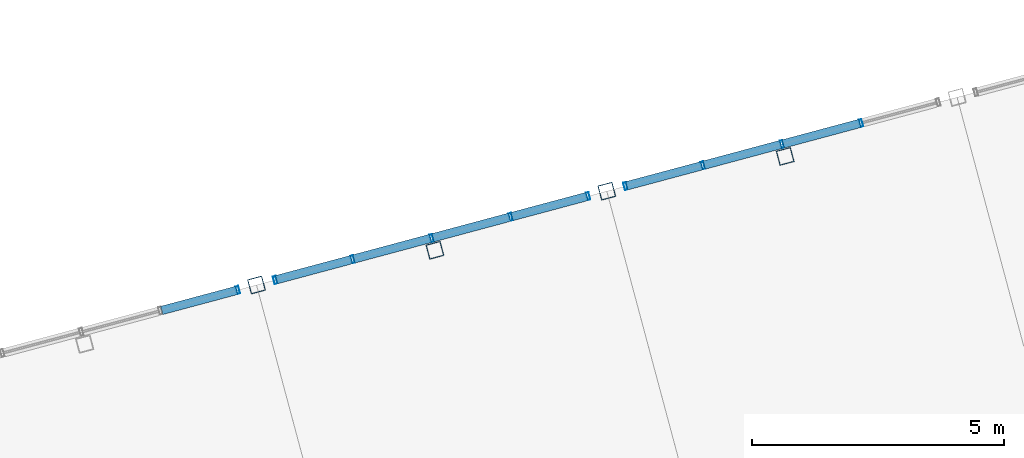
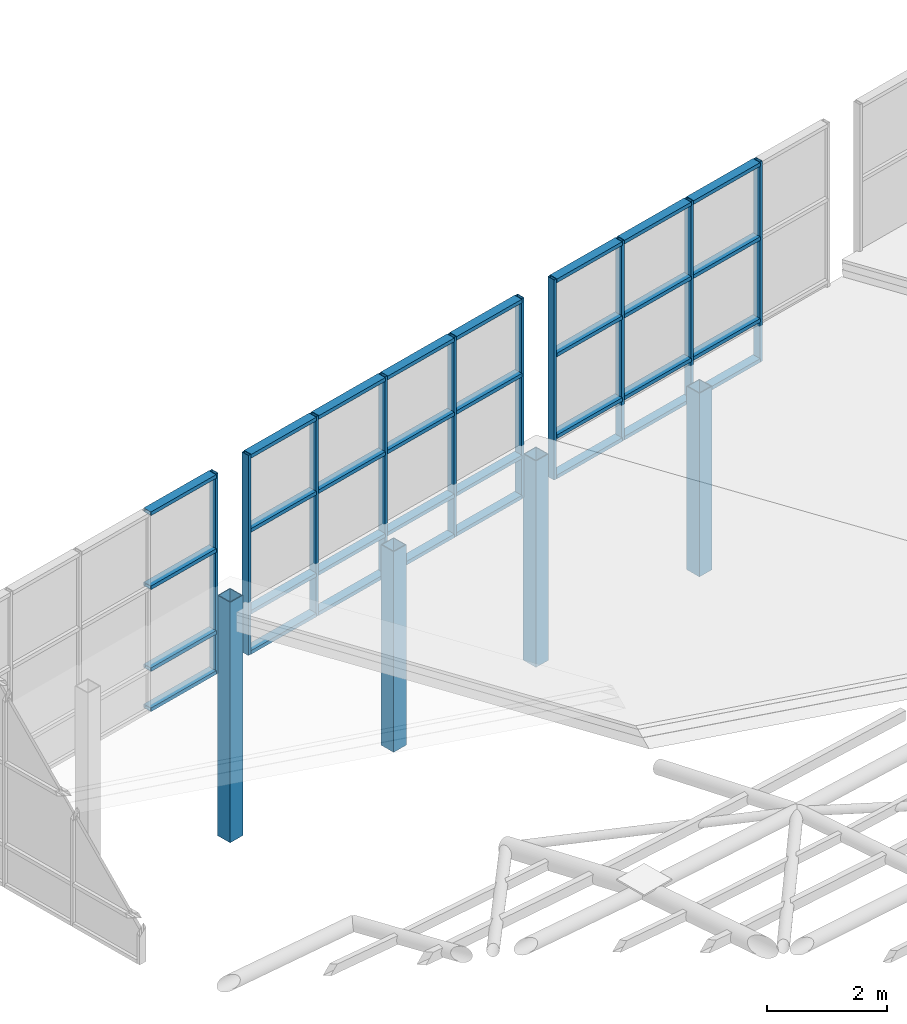
# One storey, part 10 of 28: 46 members, 3 elements without a shape of their own.
"""IFC4 building model written with IfcOpenShell, lengths in metres."""

from ifc_helpers import new_model, si_unit, direction, frame, origin, origin_2d, place, context, subcontext, project, spatial, hollow_rectangle, extrude, material, layer, layer_set, material_profile, profile_set, type_object, element, aggregate, save


model = new_model("IFC4")

# Units and contexts
model_context = context("Model", 3, precision=1e-05, world=origin(), true_north=direction((0.0, 1.0)))
body_context = subcontext(model_context, "Body", "Model", "MODEL_VIEW")
ifc_project = project(units=[si_unit("LENGTHUNIT", "METRE"), si_unit("AREAUNIT", "SQUARE_METRE"), si_unit("VOLUMEUNIT", "CUBIC_METRE"), si_unit("PLANEANGLEUNIT", "RADIAN"), si_unit("MASSUNIT", "GRAM", prefix="KILO")], contexts=[model_context])

# Site, building, storey
site_placement = place(None, origin())
site = spatial("IfcSite", under=ifc_project, at=site_placement, CompositionType="ELEMENT")
building_placement = place(site_placement, origin())
building = spatial("IfcBuilding", under=site, at=building_placement, Name="Ventoquebrada Cableway Terminal", CompositionType="ELEMENT")
storey_placement = place(building_placement, frame((0.0, 0.0, 23.39990234375)))
storey = spatial("IfcBuildingStorey", under=building, at=storey_placement, Name="RF", CompositionType="ELEMENT", Elevation=23.39990234375)

# Curtain wall, member
ifc_material_1 = material(Name="Anodized thermally-broken aluminium", Category="aluminium")
ifc_layer = layer(ifc_material_1, 0.159912109375)
ifc_layer_set = layer_set([ifc_layer], Name="Anodized thermally-broken aluminium")
curtain_wall_type = type_object("IfcCurtainWallType", Name="CW-T48", PredefinedType="USERDEFINED", material=ifc_layer_set)
curtain_wall_1_placement = place(storey_placement, origin())
curtain_wall_1 = element("IfcCurtainWall", 1, at=curtain_wall_1_placement, inside=storey, type_object=curtain_wall_type, Name="Unitised glazed curtain wall CW-156", ObjectType="UNITISED CURTAIN WALL", PredefinedType="USERDEFINED")
ifc_material_profile_1 = material_profile(ifc_material_1, hollow_rectangle(XDim=0.06005859375, YDim=0.14990234375, WallThickness=0.00390625, at=origin_2d()), Name="CW-MUL-60X150")
ifc_profile_set_1 = profile_set([ifc_material_profile_1], Name="Anodized thermally-broken aluminium")
member_type_1 = type_object("IfcMemberType", Name="CWM-03", PredefinedType="MULLION", material=ifc_profile_set_1)
member_1_placement = place(storey_placement, frame((51.8310546875, 96.662109375, -0.06298828125), z_axis=(0.0, 0.0, 1.0), x_axis=(-0.96593486019, -0.258785327773, 0.0)))
member_1 = element("IfcMember", 2, at=member_1_placement, type_object=member_type_1, Name="Curtain wall mullion FML-0757", PredefinedType="MULLION", context=body_context, shape_type="SweptSolid", body=[
    extrude(hollow_rectangle(XDim=0.06005859375, YDim=0.14990234375, WallThickness=0.00390625, at=origin_2d()), origin(), (0.0, 0.0, 1.0), 4.068115234375),
])

# Curtain wall, members
curtain_wall_2_placement = place(storey_placement, origin())
curtain_wall_2 = element("IfcCurtainWall", 3, at=curtain_wall_2_placement, inside=storey, type_object=curtain_wall_type, Name="Unitised glazed curtain wall CW-157", ObjectType="UNITISED CURTAIN WALL", PredefinedType="USERDEFINED")
member_2_placement = place(storey_placement, frame((58.785888671875, 98.52587890625, -0.06298828125), z_axis=(0.0, 0.0, 1.0), x_axis=(-0.965903236389, -0.258903337047, 0.0)))
member_2 = element("IfcMember", 4, at=member_2_placement, type_object=member_type_1, Name="Curtain wall mullion FML-0762", PredefinedType="MULLION", context=body_context, shape_type="SweptSolid", body=[
    extrude(hollow_rectangle(XDim=0.06005859375, YDim=0.14990234375, WallThickness=0.00390625, at=origin_2d()), origin(), (0.0, 0.0, 1.0), 4.068115234375),
])
member_3_placement = place(storey_placement, frame((57.25, 98.114013671875, -0.06298828125), z_axis=(0.0, 0.0, 1.0), x_axis=(-0.965903236389, -0.258903337047, 0.0)))
member_3 = element("IfcMember", 5, at=member_3_placement, type_object=member_type_1, Name="Curtain wall mullion FML-0763", PredefinedType="MULLION", context=body_context, shape_type="SweptSolid", body=[
    extrude(hollow_rectangle(XDim=0.06005859375, YDim=0.14990234375, WallThickness=0.00390625, at=origin_2d()), origin(), (0.0, 0.0, 1.0), 4.068115234375),
])
member_4_placement = place(storey_placement, frame((55.679931640625, 97.694091796875, -0.06298828125), z_axis=(0.0, 0.0, 1.0), x_axis=(-0.965903236389, -0.258903337047, 0.0)))
member_4 = element("IfcMember", 6, at=member_4_placement, type_object=member_type_1, Name="Curtain wall mullion FML-0764", PredefinedType="MULLION", context=body_context, shape_type="SweptSolid", body=[
    extrude(hollow_rectangle(XDim=0.06005859375, YDim=0.14990234375, WallThickness=0.00390625, at=origin_2d()), origin(), (0.0, 0.0, 1.0), 4.068115234375),
])
member_5_placement = place(storey_placement, frame((54.111083984375, 97.27294921875, -0.06298828125), z_axis=(0.0, 0.0, 1.0), x_axis=(-0.965903236389, -0.258903337047, 0.0)))
member_5 = element("IfcMember", 7, at=member_5_placement, type_object=member_type_1, Name="Curtain wall mullion FML-0765", PredefinedType="MULLION", context=body_context, shape_type="SweptSolid", body=[
    extrude(hollow_rectangle(XDim=0.06005859375, YDim=0.14990234375, WallThickness=0.00390625, at=origin_2d()), origin(), (0.0, 0.0, 1.0), 4.068115234375),
])
member_6_placement = place(storey_placement, frame((52.574951171875, 96.861083984375, -0.06298828125), z_axis=(0.0, 0.0, 1.0), x_axis=(-0.965903236389, -0.258903337047, 0.0)))
member_6 = element("IfcMember", 8, at=member_6_placement, type_object=member_type_1, Name="Curtain wall mullion FML-0766", PredefinedType="MULLION", context=body_context, shape_type="SweptSolid", body=[
    extrude(hollow_rectangle(XDim=0.06005859375, YDim=0.14990234375, WallThickness=0.00390625, at=origin_2d()), origin(), (0.0, 0.0, 1.0), 4.068115234375),
])

curtain_wall_3_placement = place(storey_placement, origin())
curtain_wall_3 = element("IfcCurtainWall", 9, at=curtain_wall_3_placement, inside=storey, type_object=curtain_wall_type, Name="Unitised glazed curtain wall CW-158", ObjectType="UNITISED CURTAIN WALL", PredefinedType="USERDEFINED")
member_7_placement = place(storey_placement, frame((64.205078125, 99.97705078125, -0.06298828125), z_axis=(0.0, 0.0, 1.0), x_axis=(-0.965943892913, -0.258751610128, 0.0)))
member_7 = element("IfcMember", 10, at=member_7_placement, type_object=member_type_1, Name="Curtain wall mullion FML-0768", PredefinedType="MULLION", context=body_context, shape_type="SweptSolid", body=[
    extrude(hollow_rectangle(XDim=0.06005859375, YDim=0.14990234375, WallThickness=0.00390625, at=origin_2d()), origin(), (0.0, 0.0, 1.0), 4.068115234375),
])
member_8_placement = place(storey_placement, frame((62.635986328125, 99.556884765625, -0.06298828125), z_axis=(0.0, 0.0, 1.0), x_axis=(-0.965943892913, -0.258751610128, 0.0)))
member_8 = element("IfcMember", 11, at=member_8_placement, type_object=member_type_1, Name="Curtain wall mullion FML-0769", PredefinedType="MULLION", context=body_context, shape_type="SweptSolid", body=[
    extrude(hollow_rectangle(XDim=0.06005859375, YDim=0.14990234375, WallThickness=0.00390625, at=origin_2d()), origin(), (0.0, 0.0, 1.0), 4.068115234375),
])
member_9_placement = place(storey_placement, frame((61.06591796875, 99.135986328125, -0.06298828125), z_axis=(0.0, 0.0, 1.0), x_axis=(-0.965943892913, -0.258751610128, 0.0)))
member_9 = element("IfcMember", 12, at=member_9_placement, type_object=member_type_1, Name="Curtain wall mullion FML-0770", PredefinedType="MULLION", context=body_context, shape_type="SweptSolid", body=[
    extrude(hollow_rectangle(XDim=0.06005859375, YDim=0.14990234375, WallThickness=0.00390625, at=origin_2d()), origin(), (0.0, 0.0, 1.0), 4.068115234375),
])
member_10_placement = place(storey_placement, frame((59.530029296875, 98.72509765625, -0.06298828125), z_axis=(0.0, 0.0, 1.0), x_axis=(-0.965943892913, -0.258751610128, 0.0)))
member_10 = element("IfcMember", 13, at=member_10_placement, type_object=member_type_1, Name="Curtain wall mullion FML-0771", PredefinedType="MULLION", context=body_context, shape_type="SweptSolid", body=[
    extrude(hollow_rectangle(XDim=0.06005859375, YDim=0.14990234375, WallThickness=0.00390625, at=origin_2d()), origin(), (0.0, 0.0, 1.0), 4.068115234375),
])

# Member
ifc_material_profile_2 = material_profile(ifc_material_1, hollow_rectangle(XDim=0.074951171875, YDim=0.169921875, WallThickness=0.00439453125, at=origin_2d()), Name="CW-TRN-75X170")
ifc_profile_set_2 = profile_set([ifc_material_profile_2], Name="Anodized thermally-broken aluminium")
member_type_2 = type_object("IfcMemberType", Name="CWT-03", PredefinedType="USERDEFINED", material=ifc_profile_set_2)
member_11_placement = place(storey_placement, frame((51.806884765625, 96.655029296875, -0.02001953125), z_axis=(-0.965997587881, -0.25855107853, 0.0), x_axis=(0.0, 0.0, 1.0)))
member_11 = element("IfcMember", 14, at=member_11_placement, type_object=member_type_2, Name="Curtain wall transom FTR-2204", ObjectType="TRANSOM", PredefinedType="USERDEFINED", context=body_context, shape_type="SweptSolid", body=[
    extrude(hollow_rectangle(XDim=0.074951171875, YDim=0.169921875, WallThickness=0.00439453125, at=origin_2d()), origin(), (0.0, 0.0, 1.0), 1.5390625),
])

member_12_placement = place(storey_placement, frame((51.806884765625, 96.655029296875, 0.795166015625), z_axis=(-0.965997587881, -0.25855107853, 0.0), x_axis=(0.0, 0.0, 1.0)))
member_12 = element("IfcMember", 15, at=member_12_placement, type_object=member_type_2, Name="Curtain wall transom FTR-2205", ObjectType="TRANSOM", PredefinedType="USERDEFINED", context=body_context, shape_type="SweptSolid", body=[
    extrude(hollow_rectangle(XDim=0.074951171875, YDim=0.169921875, WallThickness=0.00439453125, at=origin_2d()), origin(), (0.0, 0.0, 1.0), 1.5390625),
])

member_13_placement = place(storey_placement, frame((51.806884765625, 96.655029296875, 2.458984375), z_axis=(-0.965997587881, -0.25855107853, 0.0), x_axis=(0.0, 0.0, 1.0)))
member_13 = element("IfcMember", 16, at=member_13_placement, type_object=member_type_2, Name="Curtain wall transom FTR-2206", ObjectType="TRANSOM", PredefinedType="USERDEFINED", context=body_context, shape_type="SweptSolid", body=[
    extrude(hollow_rectangle(XDim=0.074951171875, YDim=0.169921875, WallThickness=0.00439453125, at=origin_2d()), origin(), (0.0, 0.0, 1.0), 1.5390625),
])

member_14_placement = place(storey_placement, frame((51.806884765625, 96.655029296875, 3.965087890625), z_axis=(-0.965997587881, -0.25855107853, 0.0), x_axis=(0.0, 0.0, 1.0)))
member_14 = element("IfcMember", 17, at=member_14_placement, type_object=member_type_2, Name="Curtain wall transom FTR-2207", ObjectType="TRANSOM", PredefinedType="USERDEFINED", context=body_context, shape_type="SweptSolid", body=[
    extrude(hollow_rectangle(XDim=0.074951171875, YDim=0.169921875, WallThickness=0.00439453125, at=origin_2d()), origin(), (0.0, 0.0, 1.0), 1.5390625),
])

aggregate(curtain_wall_1, [member_1, member_11, member_12, member_13, member_14])

member_15_placement = place(storey_placement, frame((58.761962890625, 98.51904296875, -0.02001953125), z_axis=(-0.966050544784, -0.25835313995, 0.0), x_axis=(0.0, 0.0, 1.0)))
member_15 = element("IfcMember", 18, at=member_15_placement, type_object=member_type_2, Name="Curtain wall transom FTR-2220", ObjectType="TRANSOM", PredefinedType="USERDEFINED", context=body_context, shape_type="SweptSolid", body=[
    extrude(hollow_rectangle(XDim=0.074951171875, YDim=0.169921875, WallThickness=0.00439453125, at=origin_2d()), origin(), (0.0, 0.0, 1.0), 1.540283203125),
])

member_16_placement = place(storey_placement, frame((58.761962890625, 98.51904296875, 0.795166015625), z_axis=(-0.966050544784, -0.25835313995, 0.0), x_axis=(0.0, 0.0, 1.0)))
member_16 = element("IfcMember", 19, at=member_16_placement, type_object=member_type_2, Name="Curtain wall transom FTR-2221", ObjectType="TRANSOM", PredefinedType="USERDEFINED", context=body_context, shape_type="SweptSolid", body=[
    extrude(hollow_rectangle(XDim=0.074951171875, YDim=0.169921875, WallThickness=0.00439453125, at=origin_2d()), origin(), (0.0, 0.0, 1.0), 1.540283203125),
])

member_17_placement = place(storey_placement, frame((58.761962890625, 98.51904296875, 2.458984375), z_axis=(-0.966050544784, -0.25835313995, 0.0), x_axis=(0.0, 0.0, 1.0)))
member_17 = element("IfcMember", 20, at=member_17_placement, type_object=member_type_2, Name="Curtain wall transom FTR-2222", ObjectType="TRANSOM", PredefinedType="USERDEFINED", context=body_context, shape_type="SweptSolid", body=[
    extrude(hollow_rectangle(XDim=0.074951171875, YDim=0.169921875, WallThickness=0.00439453125, at=origin_2d()), origin(), (0.0, 0.0, 1.0), 1.540283203125),
])

member_18_placement = place(storey_placement, frame((58.761962890625, 98.51904296875, 3.965087890625), z_axis=(-0.966050544784, -0.25835313995, 0.0), x_axis=(0.0, 0.0, 1.0)))
member_18 = element("IfcMember", 21, at=member_18_placement, type_object=member_type_2, Name="Curtain wall transom FTR-2223", ObjectType="TRANSOM", PredefinedType="USERDEFINED", context=body_context, shape_type="SweptSolid", body=[
    extrude(hollow_rectangle(XDim=0.074951171875, YDim=0.169921875, WallThickness=0.00439453125, at=origin_2d()), origin(), (0.0, 0.0, 1.0), 1.540283203125),
])

member_19_placement = place(storey_placement, frame((57.22607421875, 98.10791015625, -0.02001953125), z_axis=(-0.965860816082, -0.259061544731, 0.0), x_axis=(0.0, 0.0, 1.0)))
member_19 = element("IfcMember", 22, at=member_19_placement, type_object=member_type_2, Name="Curtain wall transom FTR-2224", ObjectType="TRANSOM", PredefinedType="USERDEFINED", context=body_context, shape_type="SweptSolid", body=[
    extrude(hollow_rectangle(XDim=0.074951171875, YDim=0.169921875, WallThickness=0.00439453125, at=origin_2d()), origin(), (0.0, 0.0, 1.0), 1.57470703125),
])

member_20_placement = place(storey_placement, frame((57.22607421875, 98.10791015625, 0.795166015625), z_axis=(-0.965860816082, -0.259061544731, 0.0), x_axis=(0.0, 0.0, 1.0)))
member_20 = element("IfcMember", 23, at=member_20_placement, type_object=member_type_2, Name="Curtain wall transom FTR-2225", ObjectType="TRANSOM", PredefinedType="USERDEFINED", context=body_context, shape_type="SweptSolid", body=[
    extrude(hollow_rectangle(XDim=0.074951171875, YDim=0.169921875, WallThickness=0.00439453125, at=origin_2d()), origin(), (0.0, 0.0, 1.0), 1.57470703125),
])

member_21_placement = place(storey_placement, frame((57.22607421875, 98.10791015625, 2.458984375), z_axis=(-0.965860816082, -0.259061544731, 0.0), x_axis=(0.0, 0.0, 1.0)))
member_21 = element("IfcMember", 24, at=member_21_placement, type_object=member_type_2, Name="Curtain wall transom FTR-2226", ObjectType="TRANSOM", PredefinedType="USERDEFINED", context=body_context, shape_type="SweptSolid", body=[
    extrude(hollow_rectangle(XDim=0.074951171875, YDim=0.169921875, WallThickness=0.00439453125, at=origin_2d()), origin(), (0.0, 0.0, 1.0), 1.57470703125),
])

member_22_placement = place(storey_placement, frame((57.22607421875, 98.10791015625, 3.965087890625), z_axis=(-0.965860816082, -0.259061544731, 0.0), x_axis=(0.0, 0.0, 1.0)))
member_22 = element("IfcMember", 25, at=member_22_placement, type_object=member_type_2, Name="Curtain wall transom FTR-2227", ObjectType="TRANSOM", PredefinedType="USERDEFINED", context=body_context, shape_type="SweptSolid", body=[
    extrude(hollow_rectangle(XDim=0.074951171875, YDim=0.169921875, WallThickness=0.00439453125, at=origin_2d()), origin(), (0.0, 0.0, 1.0), 1.57470703125),
])

member_23_placement = place(storey_placement, frame((55.656005859375, 97.68701171875, -0.02001953125), z_axis=(-0.965860816082, -0.259061544731, 0.0), x_axis=(0.0, 0.0, 1.0)))
member_23 = element("IfcMember", 26, at=member_23_placement, type_object=member_type_2, Name="Curtain wall transom FTR-2228", ObjectType="TRANSOM", PredefinedType="USERDEFINED", context=body_context, shape_type="SweptSolid", body=[
    extrude(hollow_rectangle(XDim=0.074951171875, YDim=0.169921875, WallThickness=0.00439453125, at=origin_2d()), origin(), (0.0, 0.0, 1.0), 1.57470703125),
])

member_24_placement = place(storey_placement, frame((55.656005859375, 97.68701171875, 0.795166015625), z_axis=(-0.965860816082, -0.259061544731, 0.0), x_axis=(0.0, 0.0, 1.0)))
member_24 = element("IfcMember", 27, at=member_24_placement, type_object=member_type_2, Name="Curtain wall transom FTR-2229", ObjectType="TRANSOM", PredefinedType="USERDEFINED", context=body_context, shape_type="SweptSolid", body=[
    extrude(hollow_rectangle(XDim=0.074951171875, YDim=0.169921875, WallThickness=0.00439453125, at=origin_2d()), origin(), (0.0, 0.0, 1.0), 1.57470703125),
])

member_25_placement = place(storey_placement, frame((55.656005859375, 97.68701171875, 2.458984375), z_axis=(-0.965860816082, -0.259061544731, 0.0), x_axis=(0.0, 0.0, 1.0)))
member_25 = element("IfcMember", 28, at=member_25_placement, type_object=member_type_2, Name="Curtain wall transom FTR-2230", ObjectType="TRANSOM", PredefinedType="USERDEFINED", context=body_context, shape_type="SweptSolid", body=[
    extrude(hollow_rectangle(XDim=0.074951171875, YDim=0.169921875, WallThickness=0.00439453125, at=origin_2d()), origin(), (0.0, 0.0, 1.0), 1.57470703125),
])

member_26_placement = place(storey_placement, frame((55.656005859375, 97.68701171875, 3.965087890625), z_axis=(-0.965860816082, -0.259061544731, 0.0), x_axis=(0.0, 0.0, 1.0)))
member_26 = element("IfcMember", 29, at=member_26_placement, type_object=member_type_2, Name="Curtain wall transom FTR-2231", ObjectType="TRANSOM", PredefinedType="USERDEFINED", context=body_context, shape_type="SweptSolid", body=[
    extrude(hollow_rectangle(XDim=0.074951171875, YDim=0.169921875, WallThickness=0.00439453125, at=origin_2d()), origin(), (0.0, 0.0, 1.0), 1.57470703125),
])

member_27_placement = place(storey_placement, frame((54.0869140625, 97.26611328125, -0.02001953125), z_axis=(-0.966000383253, -0.258540634244, 0.0), x_axis=(0.0, 0.0, 1.0)))
member_27 = element("IfcMember", 30, at=member_27_placement, type_object=member_type_2, Name="Curtain wall transom FTR-2232", ObjectType="TRANSOM", PredefinedType="USERDEFINED", context=body_context, shape_type="SweptSolid", body=[
    extrude(hollow_rectangle(XDim=0.074951171875, YDim=0.169921875, WallThickness=0.00439453125, at=origin_2d()), origin(), (0.0, 0.0, 1.0), 1.5400390625),
])

member_28_placement = place(storey_placement, frame((54.0869140625, 97.26611328125, 0.795166015625), z_axis=(-0.966000383253, -0.258540634244, 0.0), x_axis=(0.0, 0.0, 1.0)))
member_28 = element("IfcMember", 31, at=member_28_placement, type_object=member_type_2, Name="Curtain wall transom FTR-2233", ObjectType="TRANSOM", PredefinedType="USERDEFINED", context=body_context, shape_type="SweptSolid", body=[
    extrude(hollow_rectangle(XDim=0.074951171875, YDim=0.169921875, WallThickness=0.00439453125, at=origin_2d()), origin(), (0.0, 0.0, 1.0), 1.5400390625),
])

member_29_placement = place(storey_placement, frame((54.0869140625, 97.26611328125, 2.458984375), z_axis=(-0.966000383253, -0.258540634244, 0.0), x_axis=(0.0, 0.0, 1.0)))
member_29 = element("IfcMember", 32, at=member_29_placement, type_object=member_type_2, Name="Curtain wall transom FTR-2234", ObjectType="TRANSOM", PredefinedType="USERDEFINED", context=body_context, shape_type="SweptSolid", body=[
    extrude(hollow_rectangle(XDim=0.074951171875, YDim=0.169921875, WallThickness=0.00439453125, at=origin_2d()), origin(), (0.0, 0.0, 1.0), 1.5400390625),
])

member_30_placement = place(storey_placement, frame((54.0869140625, 97.26611328125, 3.965087890625), z_axis=(-0.966000383253, -0.258540634244, 0.0), x_axis=(0.0, 0.0, 1.0)))
member_30 = element("IfcMember", 33, at=member_30_placement, type_object=member_type_2, Name="Curtain wall transom FTR-2235", ObjectType="TRANSOM", PredefinedType="USERDEFINED", context=body_context, shape_type="SweptSolid", body=[
    extrude(hollow_rectangle(XDim=0.074951171875, YDim=0.169921875, WallThickness=0.00439453125, at=origin_2d()), origin(), (0.0, 0.0, 1.0), 1.5400390625),
])

aggregate(curtain_wall_2, [member_2, member_3, member_4, member_5, member_6, member_15, member_16, member_17, member_18, member_19, member_20, member_21, member_22, member_23, member_24, member_25, member_26, member_27, member_28, member_29, member_30])

member_31_placement = place(storey_placement, frame((64.180908203125, 99.970947265625, -0.02001953125), z_axis=(-0.965860816082, -0.259061544731, 0.0), x_axis=(0.0, 0.0, 1.0)))
member_31 = element("IfcMember", 34, at=member_31_placement, type_object=member_type_2, Name="Curtain wall transom FTR-2240", ObjectType="TRANSOM", PredefinedType="USERDEFINED", context=body_context, shape_type="SweptSolid", body=[
    extrude(hollow_rectangle(XDim=0.074951171875, YDim=0.169921875, WallThickness=0.00439453125, at=origin_2d()), origin(), (0.0, 0.0, 1.0), 1.57470703125),
])

member_32_placement = place(storey_placement, frame((64.180908203125, 99.970947265625, 0.795166015625), z_axis=(-0.965860816082, -0.259061544731, 0.0), x_axis=(0.0, 0.0, 1.0)))
member_32 = element("IfcMember", 35, at=member_32_placement, type_object=member_type_2, Name="Curtain wall transom FTR-2241", ObjectType="TRANSOM", PredefinedType="USERDEFINED", context=body_context, shape_type="SweptSolid", body=[
    extrude(hollow_rectangle(XDim=0.074951171875, YDim=0.169921875, WallThickness=0.00439453125, at=origin_2d()), origin(), (0.0, 0.0, 1.0), 1.57470703125),
])

member_33_placement = place(storey_placement, frame((64.180908203125, 99.970947265625, 2.458984375), z_axis=(-0.965860816082, -0.259061544731, 0.0), x_axis=(0.0, 0.0, 1.0)))
member_33 = element("IfcMember", 36, at=member_33_placement, type_object=member_type_2, Name="Curtain wall transom FTR-2242", ObjectType="TRANSOM", PredefinedType="USERDEFINED", context=body_context, shape_type="SweptSolid", body=[
    extrude(hollow_rectangle(XDim=0.074951171875, YDim=0.169921875, WallThickness=0.00439453125, at=origin_2d()), origin(), (0.0, 0.0, 1.0), 1.57470703125),
])

member_34_placement = place(storey_placement, frame((64.180908203125, 99.970947265625, 3.965087890625), z_axis=(-0.965860816082, -0.259061544731, 0.0), x_axis=(0.0, 0.0, 1.0)))
member_34 = element("IfcMember", 37, at=member_34_placement, type_object=member_type_2, Name="Curtain wall transom FTR-2243", ObjectType="TRANSOM", PredefinedType="USERDEFINED", context=body_context, shape_type="SweptSolid", body=[
    extrude(hollow_rectangle(XDim=0.074951171875, YDim=0.169921875, WallThickness=0.00439453125, at=origin_2d()), origin(), (0.0, 0.0, 1.0), 1.57470703125),
])

member_35_placement = place(storey_placement, frame((62.611083984375, 99.551025390625, -0.02001953125), z_axis=(-0.965860816082, -0.259061544731, 0.0), x_axis=(0.0, 0.0, 1.0)))
member_35 = element("IfcMember", 38, at=member_35_placement, type_object=member_type_2, Name="Curtain wall transom FTR-2244", ObjectType="TRANSOM", PredefinedType="USERDEFINED", context=body_context, shape_type="SweptSolid", body=[
    extrude(hollow_rectangle(XDim=0.074951171875, YDim=0.169921875, WallThickness=0.00439453125, at=origin_2d()), origin(), (0.0, 0.0, 1.0), 1.57470703125),
])

member_36_placement = place(storey_placement, frame((62.611083984375, 99.551025390625, 0.795166015625), z_axis=(-0.965860816082, -0.259061544731, 0.0), x_axis=(0.0, 0.0, 1.0)))
member_36 = element("IfcMember", 39, at=member_36_placement, type_object=member_type_2, Name="Curtain wall transom FTR-2245", ObjectType="TRANSOM", PredefinedType="USERDEFINED", context=body_context, shape_type="SweptSolid", body=[
    extrude(hollow_rectangle(XDim=0.074951171875, YDim=0.169921875, WallThickness=0.00439453125, at=origin_2d()), origin(), (0.0, 0.0, 1.0), 1.57470703125),
])

member_37_placement = place(storey_placement, frame((62.611083984375, 99.551025390625, 2.458984375), z_axis=(-0.965860816082, -0.259061544731, 0.0), x_axis=(0.0, 0.0, 1.0)))
member_37 = element("IfcMember", 40, at=member_37_placement, type_object=member_type_2, Name="Curtain wall transom FTR-2246", ObjectType="TRANSOM", PredefinedType="USERDEFINED", context=body_context, shape_type="SweptSolid", body=[
    extrude(hollow_rectangle(XDim=0.074951171875, YDim=0.169921875, WallThickness=0.00439453125, at=origin_2d()), origin(), (0.0, 0.0, 1.0), 1.57470703125),
])

member_38_placement = place(storey_placement, frame((62.611083984375, 99.551025390625, 3.965087890625), z_axis=(-0.965860816082, -0.259061544731, 0.0), x_axis=(0.0, 0.0, 1.0)))
member_38 = element("IfcMember", 41, at=member_38_placement, type_object=member_type_2, Name="Curtain wall transom FTR-2247", ObjectType="TRANSOM", PredefinedType="USERDEFINED", context=body_context, shape_type="SweptSolid", body=[
    extrude(hollow_rectangle(XDim=0.074951171875, YDim=0.169921875, WallThickness=0.00439453125, at=origin_2d()), origin(), (0.0, 0.0, 1.0), 1.57470703125),
])

member_39_placement = place(storey_placement, frame((61.0419921875, 99.1298828125, -0.02001953125), z_axis=(-0.966050544784, -0.25835313995, 0.0), x_axis=(0.0, 0.0, 1.0)))
member_39 = element("IfcMember", 42, at=member_39_placement, type_object=member_type_2, Name="Curtain wall transom FTR-2248", ObjectType="TRANSOM", PredefinedType="USERDEFINED", context=body_context, shape_type="SweptSolid", body=[
    extrude(hollow_rectangle(XDim=0.074951171875, YDim=0.169921875, WallThickness=0.00439453125, at=origin_2d()), origin(), (0.0, 0.0, 1.0), 1.540283203125),
])

member_40_placement = place(storey_placement, frame((61.0419921875, 99.1298828125, 0.795166015625), z_axis=(-0.966050544784, -0.25835313995, 0.0), x_axis=(0.0, 0.0, 1.0)))
member_40 = element("IfcMember", 43, at=member_40_placement, type_object=member_type_2, Name="Curtain wall transom FTR-2249", ObjectType="TRANSOM", PredefinedType="USERDEFINED", context=body_context, shape_type="SweptSolid", body=[
    extrude(hollow_rectangle(XDim=0.074951171875, YDim=0.169921875, WallThickness=0.00439453125, at=origin_2d()), origin(), (0.0, 0.0, 1.0), 1.540283203125),
])

member_41_placement = place(storey_placement, frame((61.0419921875, 99.1298828125, 2.458984375), z_axis=(-0.966050544784, -0.25835313995, 0.0), x_axis=(0.0, 0.0, 1.0)))
member_41 = element("IfcMember", 44, at=member_41_placement, type_object=member_type_2, Name="Curtain wall transom FTR-2250", ObjectType="TRANSOM", PredefinedType="USERDEFINED", context=body_context, shape_type="SweptSolid", body=[
    extrude(hollow_rectangle(XDim=0.074951171875, YDim=0.169921875, WallThickness=0.00439453125, at=origin_2d()), origin(), (0.0, 0.0, 1.0), 1.540283203125),
])

member_42_placement = place(storey_placement, frame((61.0419921875, 99.1298828125, 3.965087890625), z_axis=(-0.966050544784, -0.25835313995, 0.0), x_axis=(0.0, 0.0, 1.0)))
member_42 = element("IfcMember", 45, at=member_42_placement, type_object=member_type_2, Name="Curtain wall transom FTR-2251", ObjectType="TRANSOM", PredefinedType="USERDEFINED", context=body_context, shape_type="SweptSolid", body=[
    extrude(hollow_rectangle(XDim=0.074951171875, YDim=0.169921875, WallThickness=0.00439453125, at=origin_2d()), origin(), (0.0, 0.0, 1.0), 1.540283203125),
])

aggregate(curtain_wall_3, [member_7, member_8, member_9, member_10, member_31, member_32, member_33, member_34, member_35, member_36, member_37, member_38, member_39, member_40, member_41, member_42])

# Members
ifc_material_2 = material(Name="Steel ASTM A500 Grade C", Category="steel")
ifc_material_profile_3 = material_profile(ifc_material_2, hollow_rectangle(XDim=0.300048828125, YDim=0.300048828125, WallThickness=0.01611328125, at=origin_2d()), Name="HSS300X300X16")
ifc_profile_set_3 = profile_set([ifc_material_profile_3], Name="Steel ASTM A500 Grade C")
member_type_3 = type_object("IfcMemberType", Name="PST-GS01", PredefinedType="STRUT", material=ifc_profile_set_3)
member_43_placement = place(storey_placement, frame((55.7451171875, 97.451904296875, -3.39990234375), z_axis=(0.0, 0.0, 1.0), x_axis=(0.965925826289, 0.258819045103, 0.0)))
element("IfcMember", 46, at=member_43_placement, inside=storey, type_object=member_type_3, Name="Gridshell eaves support post PS-0449", PredefinedType="STRUT", context=body_context, shape_type="SweptSolid", body=[
    extrude(hollow_rectangle(XDim=0.300048828125, YDim=0.300048828125, WallThickness=0.01611328125, at=origin_2d()), origin(), (0.0, 0.0, 1.0), 4.075927734375),
])
member_44_placement = place(storey_placement, frame((62.699951171875, 99.31591796875, -3.39990234375), z_axis=(0.0, 0.0, 1.0), x_axis=(0.965925826289, 0.258819045103, 0.0)))
element("IfcMember", 47, at=member_44_placement, inside=storey, type_object=member_type_3, Name="Gridshell eaves support post PS-0454", PredefinedType="STRUT", context=body_context, shape_type="SweptSolid", body=[
    extrude(hollow_rectangle(XDim=0.300048828125, YDim=0.300048828125, WallThickness=0.01611328125, at=origin_2d()), origin(), (0.0, 0.0, 1.0), 3.72998046875),
])
ifc_material_profile_4 = material_profile(ifc_material_2, hollow_rectangle(XDim=0.300048828125, YDim=0.300048828125, WallThickness=0.01611328125, at=origin_2d()), Name="HSS300X300X16")
ifc_profile_set_4 = profile_set([ifc_material_profile_4], Name="Steel ASTM A500 Grade C")
member_type_4 = type_object("IfcMemberType", Name="STR-VS01", PredefinedType="STRUT", material=ifc_profile_set_4)
member_45_placement = place(storey_placement, frame((52.202880859375, 96.761962890625, -3.579833984375), z_axis=(0.0, 0.0, 1.0), x_axis=(0.965925826289, 0.258819045103, 0.0)))
element("IfcMember", 48, at=member_45_placement, inside=storey, type_object=member_type_4, Name="Gridshell deck stand-off post GS-SP-0442", PredefinedType="STRUT", context=body_context, shape_type="SweptSolid", body=[
    extrude(hollow_rectangle(XDim=0.300048828125, YDim=0.300048828125, WallThickness=0.01611328125, at=origin_2d()), origin(), (0.0, 0.0, 1.0), 4.885009765625),
])
member_46_placement = place(storey_placement, frame((59.157958984375, 98.625, -3.579833984375), z_axis=(0.0, 0.0, 1.0), x_axis=(0.965925826289, 0.258819045103, 0.0)))
element("IfcMember", 49, at=member_46_placement, inside=storey, type_object=member_type_4, Name="Gridshell deck stand-off post GS-SP-0448", PredefinedType="STRUT", context=body_context, shape_type="SweptSolid", body=[
    extrude(hollow_rectangle(XDim=0.300048828125, YDim=0.300048828125, WallThickness=0.01611328125, at=origin_2d()), origin(), (0.0, 0.0, 1.0), 4.19384765625),
])

save(model, "model.ifc")
